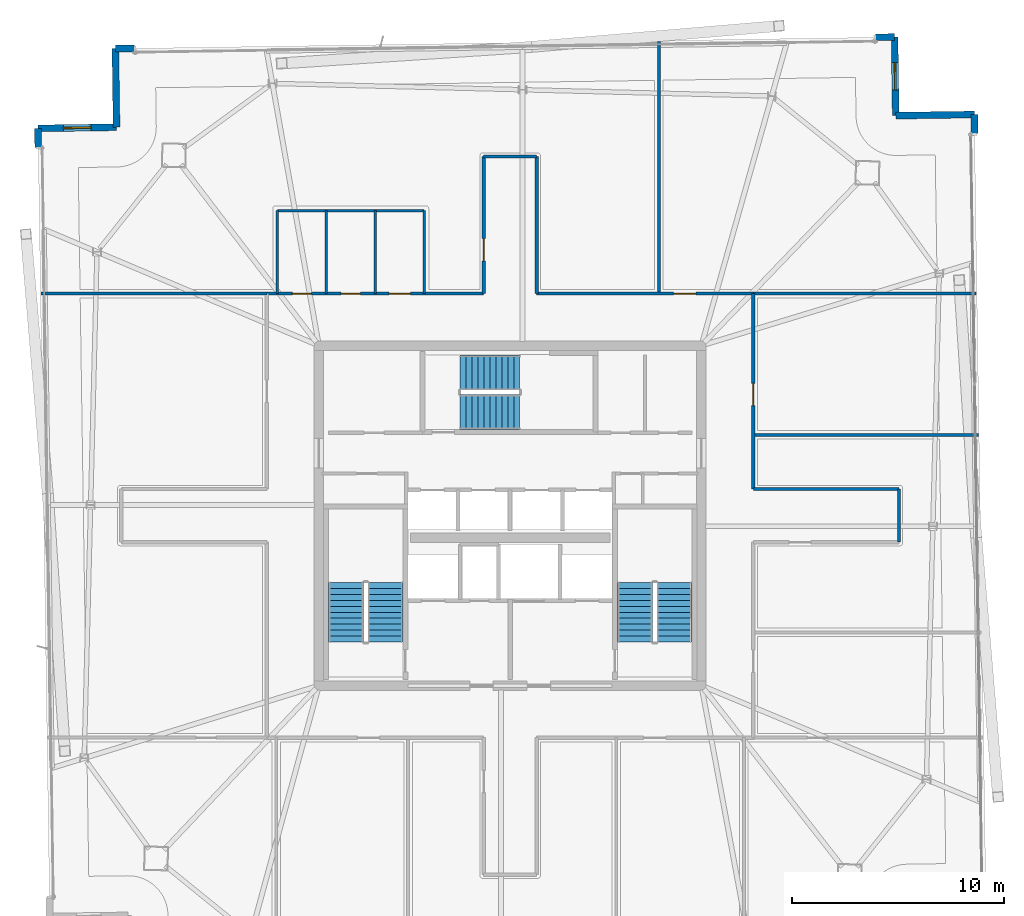
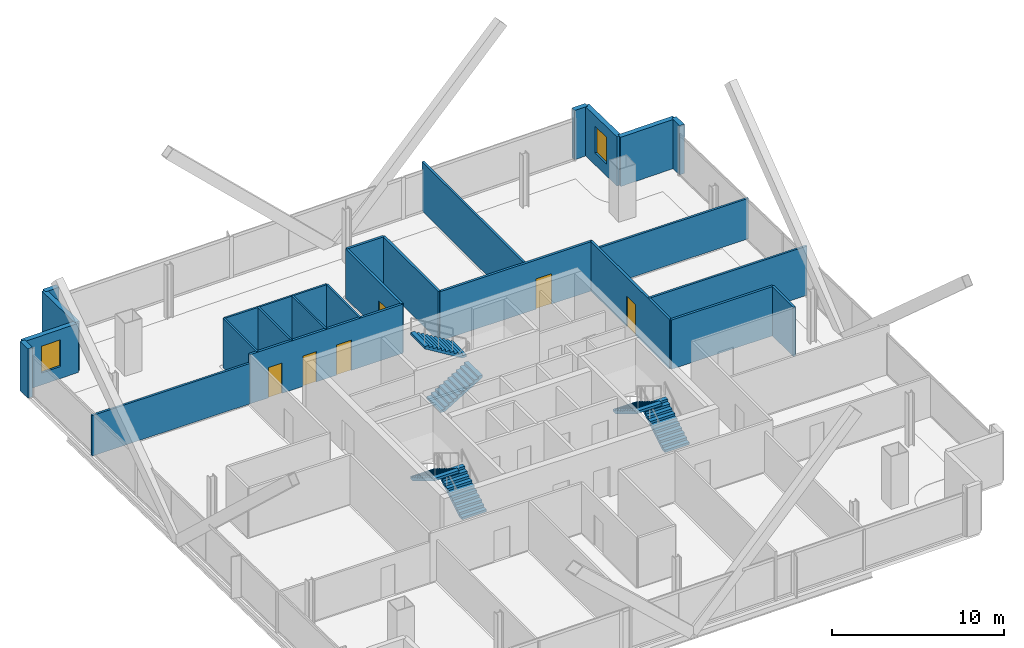
# One storey, part 22 of 25: 25 walls, 6 doors, 6 stair flights, 2 windows, 8 openings, 3 elements without a shape of their own.
"""IFC4 building model written with IfcOpenShell, lengths in metres."""

from ifc_helpers import new_model, si_unit, direction, frame, frame_2d, origin, place, context, subcontext, project, spatial, polyline, rectangle, outline, extrude, material, layer, layer_set, type_object, element, fill, aggregate, save


model = new_model("IFC4")

# Units and contexts
model_context = context("Model", 3, precision=1e-05, world=origin(), true_north=direction((0.0, 1.0)))
body_context = subcontext(model_context, "Body", "Model", "MODEL_VIEW")
ifc_project = project(units=[si_unit("LENGTHUNIT", "METRE"), si_unit("AREAUNIT", "SQUARE_METRE"), si_unit("VOLUMEUNIT", "CUBIC_METRE"), si_unit("PLANEANGLEUNIT", "RADIAN"), si_unit("MASSUNIT", "GRAM", prefix="KILO")], contexts=[model_context])

# Site, building, storey
site_placement = place(None, origin())
site = spatial("IfcSite", under=ifc_project, at=site_placement, CompositionType="ELEMENT")
building_placement = place(site_placement, origin())
building = spatial("IfcBuilding", under=site, at=building_placement, Name="Haldenkirk Collegiate Tower", CompositionType="ELEMENT")
storey_placement = place(building_placement, frame((0.0, 0.0, 332.699951171875)))
storey = spatial("IfcBuildingStorey", under=building, at=storey_placement, Name="L84", CompositionType="ELEMENT", Elevation=332.699951171875)

# Walls
ifc_material_1 = material(Name="Precast concrete f'c 40 MPa", Category="concrete")
ifc_layer_1 = layer(ifc_material_1, 0.320068359375)
ifc_layer_set_1 = layer_set([ifc_layer_1], Name="Precast concrete f'c 40 MPa")
wall_type_1 = type_object("IfcWallType", Name="WL-EXT-TWR-320", PredefinedType="STANDARD", material=ifc_layer_set_1)
wall_1_placement = place(storey_placement, frame((57.847412109375, 44.876220703125, 0.0), z_axis=(0.0, 0.0, 1.0), x_axis=(0.01491966312, -0.999888695632, 0.0)))
element("IfcWall", 1, at=wall_1_placement, inside=storey, type_object=wall_type_1, Name="L84 precast corner pier SL", PredefinedType="STANDARD", context=body_context, shape_type="SweptSolid", body=[
    extrude(rectangle(XDim=0.89990234375, YDim=0.320068359375, at=frame_2d((0.449951171875, 0.0))), origin(), (0.0, 0.0, 1.0), 3.489990234375),
])
wall_2_placement = place(storey_placement, frame((54.147705078125, 44.8212890625, 0.0), z_axis=(0.0, 0.0, 1.0), x_axis=(0.999889793128, 0.014845928696, 0.0)))
element("IfcWall", 2, at=wall_2_placement, inside=storey, type_object=wall_type_1, Name="L84 bronze precast notch wall 02", PredefinedType="STANDARD", context=body_context, shape_type="SweptSolid", body=[
    extrude(rectangle(XDim=3.7001953125, YDim=0.320068359375, at=frame_2d((1.85009765625, 0.0))), origin(), (0.0, 0.0, 1.0), 3.489990234375),
])

# Wall, opening, window
wall_3_placement = place(storey_placement, frame((54.093017578125, 48.52099609375, 0.0), z_axis=(0.0, 0.0, 1.0), x_axis=(0.014779961236, -0.999890770407, 0.0)))
wall_3 = element("IfcWall", 3, at=wall_3_placement, inside=storey, type_object=wall_type_1, Name="L84 bronze precast notch wall 03", PredefinedType="STANDARD", context=body_context, shape_type="SweptSolid", body=[
    extrude(rectangle(XDim=3.7001953125, YDim=0.320068359375, at=frame_2d((1.85009765625, 0.0))), origin(), (0.0, 0.0, 1.0), 3.489990234375),
])
opening_1_placement = place(wall_3_placement, frame((1.199951171875, 0.0, 0.85009765625)))
opening_1 = element("IfcOpeningElement", 4, at=opening_1_placement, cuts=wall_3, Name="Opening W-08", PredefinedType="OPENING", context=body_context, shape_type="SweptSolid", body=[
    extrude(rectangle(XDim=1.300048828125, YDim=1.89990234375, at=frame_2d((0.64990234375, 0.949951171875))), frame((0.0, 0.169921875, 0.0), z_axis=(0.0, -1.0, 0.0), x_axis=(1.0, 0.0, 0.0)), (0.0, 0.0, 1.0), 0.340087890625),
])
ifc_material_2 = material(Name="Low-E argon triple insulating glass", Category="glass")
ifc_layer_2 = layer(ifc_material_2, 0.090087890625)
ifc_layer_set_2 = layer_set([ifc_layer_2], Name="Low-E argon triple insulating glass")
window_type = type_object("IfcWindowType", Name="WN-Z6-1300X1900", PartitioningType="SINGLE_PANEL", PredefinedType="WINDOW", material=ifc_layer_set_2)
window_1_placement = place(opening_1_placement, origin())
window_1 = element("IfcWindow", 5, at=window_1_placement, inside=storey, type_object=window_type, Name="L84 precast-frame academic window 2", OverallHeight=1.89990234375, OverallWidth=1.300048828125, PartitioningType="SINGLE_PANEL", PredefinedType="WINDOW", context=body_context, shape_type="SweptSolid", body=[
    extrude(rectangle(XDim=1.300048828125, YDim=1.89990234375, at=frame_2d((0.64990234375, 0.949951171875))), frame((0.0, 0.030029296875, 0.0), z_axis=(0.0, -1.0, 0.0), x_axis=(1.0, 0.0, 0.0)), (0.0, 0.0, 1.0), 0.06005859375),
])
fill(opening_1, window_1)

# Walls
for number, where, z_axis, x_axis, name in (
    (6, (17.421875, 47.976806640625, 0.0), (0.0, 0.0, 1.0), (0.999888695632, 0.01491966312, 0.0), "L84 precast corner pier EL"),
    (7, (53.193115234375, 48.507568359375, 0.0), (0.0, 0.0, 1.0), (0.999888695632, 0.01491966312, 0.0), "L84 precast corner pier ER"),
):
    element("IfcWall", number, at=place(storey_placement, frame(where, z_axis=z_axis, x_axis=x_axis)), inside=storey, type_object=wall_type_1, Name=name, PredefinedType="STANDARD", context=body_context, shape_type="SweptSolid", body=[
        extrude(rectangle(XDim=0.89990234375, YDim=0.320068359375, at=frame_2d((0.449951171875, 0.0))), origin(), (0.0, 0.0, 1.0), 3.489990234375),
    ])
wall_4_placement = place(storey_placement, frame((17.476806640625, 44.277099609375, 0.0), z_axis=(0.0, 0.0, 1.0), x_axis=(-0.014845928696, 0.999889793128, 0.0)))
element("IfcWall", 8, at=wall_4_placement, inside=storey, type_object=wall_type_1, Name="L84 bronze precast notch wall 05", PredefinedType="STANDARD", context=body_context, shape_type="SweptSolid", body=[
    extrude(rectangle(XDim=3.7001953125, YDim=0.320068359375, at=frame_2d((1.85009765625, 0.0))), origin(), (0.0, 0.0, 1.0), 3.489990234375),
])

# Wall, opening, window
wall_5_placement = place(storey_placement, frame((13.777099609375, 44.222412109375, 0.0), z_axis=(0.0, 0.0, 1.0), x_axis=(0.999890770407, 0.014779961236, 0.0)))
wall_5 = element("IfcWall", 9, at=wall_5_placement, inside=storey, type_object=wall_type_1, Name="L84 bronze precast notch wall 06", PredefinedType="STANDARD", context=body_context, shape_type="SweptSolid", body=[
    extrude(rectangle(XDim=3.7001953125, YDim=0.320068359375, at=frame_2d((1.85009765625, 0.0))), origin(), (0.0, 0.0, 1.0), 3.489990234375),
])
opening_2_placement = place(wall_5_placement, frame((1.199951171875, 0.0, 0.85009765625)))
opening_2 = element("IfcOpeningElement", 10, at=opening_2_placement, cuts=wall_5, Name="Opening W-08", PredefinedType="OPENING", context=body_context, shape_type="SweptSolid", body=[
    extrude(rectangle(XDim=1.300048828125, YDim=1.89990234375, at=frame_2d((0.64990234375, 0.949951171875))), frame((0.0, 0.169921875, 0.0), z_axis=(0.0, -1.0, 0.0), x_axis=(1.0, 0.0, 0.0)), (0.0, 0.0, 1.0), 0.340087890625),
])
window_2_placement = place(opening_2_placement, origin())
window_2 = element("IfcWindow", 11, at=window_2_placement, inside=storey, type_object=window_type, Name="L84 precast-frame academic window 5", OverallHeight=1.89990234375, OverallWidth=1.300048828125, PartitioningType="SINGLE_PANEL", PredefinedType="WINDOW", context=body_context, shape_type="SweptSolid", body=[
    extrude(rectangle(XDim=1.300048828125, YDim=1.89990234375, at=frame_2d((0.64990234375, 0.949951171875))), frame((0.0, 0.030029296875, 0.0), z_axis=(0.0, -1.0, 0.0), x_axis=(1.0, 0.0, 0.0)), (0.0, 0.0, 1.0), 0.06005859375),
])
fill(opening_2, window_2)

# Wall
wall_6_placement = place(storey_placement, frame((13.79052734375, 43.322509765625, 0.0), z_axis=(0.0, 0.0, 1.0), x_axis=(-0.01491966312, 0.999888695632, 0.0)))
element("IfcWall", 12, at=wall_6_placement, inside=storey, type_object=wall_type_1, Name="L84 precast corner pier NR", PredefinedType="STANDARD", context=body_context, shape_type="SweptSolid", body=[
    extrude(rectangle(XDim=0.89990234375, YDim=0.320068359375, at=frame_2d((0.449951171875, 0.0))), origin(), (0.0, 0.0, 1.0), 3.489990234375),
])

# Wall, openings, doors
ifc_material_3 = material(Name="Acoustic fire-rated gypsum partition", Category="concrete")
ifc_layer_3 = layer(ifc_material_3, 0.159912109375)
ifc_layer_set_3 = layer_set([ifc_layer_3], Name="Acoustic fire-rated gypsum partition")
wall_type_2 = type_object("IfcWallType", Name="WL-INT-CORR-160", PredefinedType="PARTITIONING", material=ifc_layer_set_3)
wall_7_placement = place(storey_placement, frame((24.5, 36.449951171875, 0.0), z_axis=(0.0, 0.0, 1.0), x_axis=(1.0, 0.0, 0.0)))
wall_7 = element("IfcWall", 13, at=wall_7_placement, inside=storey, type_object=wall_type_2, Name="L84 interior partition IW-L84-CN1", PredefinedType="PARTITIONING", context=body_context, shape_type="SweptSolid", body=[
    extrude(rectangle(XDim=10.25, YDim=0.159912109375, at=frame_2d((5.125, 0.0))), origin(), (0.0, 0.0, 1.0), 3.489990234375),
])
opening_3_placement = place(wall_7_placement, frame((1.25, 0.0, 0.0)))
opening_3 = element("IfcOpeningElement", 14, at=opening_3_placement, cuts=wall_7, Name="Opening D-13", PredefinedType="OPENING", context=body_context, shape_type="SweptSolid", body=[
    extrude(rectangle(XDim=0.89990234375, YDim=2.14990234375, at=frame_2d((0.449951171875, 1.074951171875))), frame((0.0, 0.08984375, 0.0), z_axis=(0.0, -1.0, 0.0), x_axis=(1.0, 0.0, 0.0)), (0.0, 0.0, 1.0), 0.179931640625),
])
opening_4_placement = place(wall_7_placement, frame((3.550048828125, 0.0, 0.0)))
opening_4 = element("IfcOpeningElement", 15, at=opening_4_placement, cuts=wall_7, Name="Opening D-13", PredefinedType="OPENING", context=body_context, shape_type="SweptSolid", body=[
    extrude(rectangle(XDim=0.89990234375, YDim=2.14990234375, at=frame_2d((0.449951171875, 1.074951171875))), frame((0.0, 0.08984375, 0.0), z_axis=(0.0, -1.0, 0.0), x_axis=(1.0, 0.0, 0.0)), (0.0, 0.0, 1.0), 0.179931640625),
])
opening_5_placement = place(wall_7_placement, frame((5.800048828125, 0.0, 0.0)))
opening_5 = element("IfcOpeningElement", 16, at=opening_5_placement, cuts=wall_7, Name="Opening D-14", PredefinedType="OPENING", context=body_context, shape_type="SweptSolid", body=[
    extrude(rectangle(XDim=1.0, YDim=2.14990234375, at=frame_2d((0.5, 1.074951171875))), frame((0.0, 0.08984375, 0.0), z_axis=(0.0, -1.0, 0.0), x_axis=(1.0, 0.0, 0.0)), (0.0, 0.0, 1.0), 0.179931640625),
])
ifc_material_4 = material(Name="Solid-core architectural oak fire door", Category="wood")
ifc_layer_4 = layer(ifc_material_4, 0.06005859375)
ifc_layer_set_4 = layer_set([ifc_layer_4], Name="Solid-core architectural oak fire door")
door_type_1 = type_object("IfcDoorType", Name="DR-INT-ACC-1000", OperationType="NOTDEFINED", PredefinedType="DOOR", material=ifc_layer_set_4)
door_1_placement = place(opening_5_placement, origin())
door_1 = element("IfcDoor", 17, at=door_1_placement, inside=storey, type_object=door_type_1, Name="L84 Accessible WC door", OperationType="SINGLE_SWING_RIGHT", OverallHeight=2.14990234375, OverallWidth=1.0, PredefinedType="DOOR", context=body_context, shape_type="SweptSolid", body=[
    extrude(rectangle(XDim=1.0, YDim=2.14990234375, at=frame_2d((0.5, 1.074951171875))), frame((0.0, 0.02490234375, 0.0), z_axis=(0.0, -1.0, 0.0), x_axis=(1.0, 0.0, 0.0)), (0.0, 0.0, 1.0), 0.050048828125),
])
fill(opening_5, door_1)
ifc_layer_5 = layer(ifc_material_4, 0.06005859375)
ifc_layer_set_5 = layer_set([ifc_layer_5], Name="Solid-core architectural oak fire door")
door_type_2 = type_object("IfcDoorType", Name="DR-INT-STD-900", OperationType="NOTDEFINED", PredefinedType="DOOR", material=ifc_layer_set_5)
door_2_placement = place(opening_3_placement, origin())
door_2 = element("IfcDoor", 18, at=door_2_placement, inside=storey, type_object=door_type_2, Name="L84 Male WC door", OperationType="SINGLE_SWING_RIGHT", OverallHeight=2.14990234375, OverallWidth=0.89990234375, PredefinedType="DOOR", context=body_context, shape_type="SweptSolid", body=[
    extrude(rectangle(XDim=0.89990234375, YDim=2.14990234375, at=frame_2d((0.449951171875, 1.074951171875))), frame((0.0, 0.02490234375, 0.0), z_axis=(0.0, -1.0, 0.0), x_axis=(1.0, 0.0, 0.0)), (0.0, 0.0, 1.0), 0.050048828125),
])
fill(opening_3, door_2)
door_3_placement = place(opening_4_placement, origin())
door_3 = element("IfcDoor", 19, at=door_3_placement, inside=storey, type_object=door_type_2, Name="L84 Female WC door", OperationType="SINGLE_SWING_LEFT", OverallHeight=2.14990234375, OverallWidth=0.89990234375, PredefinedType="DOOR", context=body_context, shape_type="SweptSolid", body=[
    extrude(rectangle(XDim=0.89990234375, YDim=2.14990234375, at=frame_2d((0.449951171875, 1.074951171875))), frame((0.0, 0.02490234375, 0.0), z_axis=(0.0, -1.0, 0.0), x_axis=(1.0, 0.0, 0.0)), (0.0, 0.0, 1.0), 0.050048828125),
])
fill(opening_4, door_3)

# Wall, opening, door
wall_8_placement = place(storey_placement, frame((37.25, 36.449951171875, 0.0), z_axis=(0.0, 0.0, 1.0), x_axis=(1.0, 0.0, 0.0)))
wall_8 = element("IfcWall", 20, at=wall_8_placement, inside=storey, type_object=wall_type_2, Name="L84 interior partition IW-L84-CN2", PredefinedType="PARTITIONING", context=body_context, shape_type="SweptSolid", body=[
    extrude(rectangle(XDim=10.25, YDim=0.159912109375, at=frame_2d((5.125, 0.0))), origin(), (0.0, 0.0, 1.0), 3.489990234375),
])
opening_6_placement = place(wall_8_placement, frame((6.43896484375, 0.0, 0.0)))
opening_6 = element("IfcOpeningElement", 21, at=opening_6_placement, cuts=wall_8, Name="Opening D-09", PredefinedType="OPENING", context=body_context, shape_type="SweptSolid", body=[
    extrude(rectangle(XDim=1.050048828125, YDim=2.14990234375, at=frame_2d((0.52490234375, 1.074951171875))), frame((0.0, 0.08984375, 0.0), z_axis=(0.0, -1.0, 0.0), x_axis=(1.0, 0.0, 0.0)), (0.0, 0.0, 1.0), 0.179931640625),
])
ifc_layer_6 = layer(ifc_material_4, 0.06005859375)
ifc_layer_set_6 = layer_set([ifc_layer_6], Name="Solid-core architectural oak fire door")
door_type_3 = type_object("IfcDoorType", Name="DR-INT-FD60-1050", OperationType="NOTDEFINED", PredefinedType="DOOR", material=ifc_layer_set_6)
door_4_placement = place(opening_6_placement, origin())
door_4 = element("IfcDoor", 22, at=door_4_placement, inside=storey, type_object=door_type_3, Name="L84 Wet Science Laboratory 7 door", OperationType="SINGLE_SWING_LEFT", OverallHeight=2.14990234375, OverallWidth=1.050048828125, PredefinedType="DOOR", context=body_context, shape_type="SweptSolid", body=[
    extrude(rectangle(XDim=1.050048828125, YDim=2.14990234375, at=frame_2d((0.52490234375, 1.074951171875))), frame((0.0, 0.02490234375, 0.0), z_axis=(0.0, -1.0, 0.0), x_axis=(1.0, 0.0, 0.0)), (0.0, 0.0, 1.0), 0.050048828125),
])
fill(opening_6, door_4)

wall_9_placement = place(storey_placement, frame((47.449951171875, 27.25, 0.0), z_axis=(0.0, 0.0, 1.0), x_axis=(0.0, 1.0, 0.0)))
wall_9 = element("IfcWall", 23, at=wall_9_placement, inside=storey, type_object=wall_type_2, Name="L84 interior partition IW-L84-CE2", PredefinedType="PARTITIONING", context=body_context, shape_type="SweptSolid", body=[
    extrude(rectangle(XDim=9.199951171875, YDim=0.159912109375, at=frame_2d((4.60009765625, 0.0))), origin(), (0.0, 0.0, 1.0), 3.489990234375),
])
opening_7_placement = place(wall_9_placement, frame((3.927001953125, 0.0, 0.0)))
opening_7 = element("IfcOpeningElement", 24, at=opening_7_placement, cuts=wall_9, Name="Opening D-09", PredefinedType="OPENING", context=body_context, shape_type="SweptSolid", body=[
    extrude(rectangle(XDim=1.050048828125, YDim=2.14990234375, at=frame_2d((0.52490234375, 1.074951171875))), frame((0.0, 0.08984375, 0.0), z_axis=(0.0, -1.0, 0.0), x_axis=(1.0, 0.0, 0.0)), (0.0, 0.0, 1.0), 0.179931640625),
])
door_5_placement = place(opening_7_placement, origin())
door_5 = element("IfcDoor", 25, at=door_5_placement, inside=storey, type_object=door_type_3, Name="L84 Optics Research Laboratory 11 door", OperationType="SINGLE_SWING_LEFT", OverallHeight=2.14990234375, OverallWidth=1.050048828125, PredefinedType="DOOR", context=body_context, shape_type="SweptSolid", body=[
    extrude(rectangle(XDim=1.050048828125, YDim=2.14990234375, at=frame_2d((0.52490234375, 1.074951171875))), frame((0.0, 0.02490234375, 0.0), z_axis=(0.0, -1.0, 0.0), x_axis=(1.0, 0.0, 0.0)), (0.0, 0.0, 1.0), 0.050048828125),
])
fill(opening_7, door_5)

wall_10_placement = place(storey_placement, frame((34.75, 36.449951171875, 0.0), z_axis=(0.0, 0.0, 1.0), x_axis=(0.0, 1.0, 0.0)))
wall_10 = element("IfcWall", 26, at=wall_10_placement, inside=storey, type_object=wall_type_2, Name="L84 interior partition IW-L84-NPW", PredefinedType="PARTITIONING", context=body_context, shape_type="SweptSolid", body=[
    extrude(rectangle(XDim=6.449951171875, YDim=0.159912109375, at=frame_2d((3.22509765625, 0.0))), origin(), (0.0, 0.0, 1.0), 3.489990234375),
])
opening_8_placement = place(wall_10_placement, frame((1.5390625, 0.0, 0.0)))
opening_8 = element("IfcOpeningElement", 27, at=opening_8_placement, cuts=wall_10, Name="Opening D-09", PredefinedType="OPENING", context=body_context, shape_type="SweptSolid", body=[
    extrude(rectangle(XDim=1.050048828125, YDim=2.14990234375, at=frame_2d((0.52490234375, 1.074951171875))), frame((0.0, 0.08984375, 0.0), z_axis=(0.0, -1.0, 0.0), x_axis=(1.0, 0.0, 0.0)), (0.0, 0.0, 1.0), 0.179931640625),
])
door_6_placement = place(opening_8_placement, origin())
door_6 = element("IfcDoor", 28, at=door_6_placement, inside=storey, type_object=door_type_3, Name="L84 Bioengineering Laboratory 6 door", OperationType="SINGLE_SWING_RIGHT", OverallHeight=2.14990234375, OverallWidth=1.050048828125, PredefinedType="DOOR", context=body_context, shape_type="SweptSolid", body=[
    extrude(rectangle(XDim=1.050048828125, YDim=2.14990234375, at=frame_2d((0.52490234375, 1.074951171875))), frame((0.0, 0.02490234375, 0.0), z_axis=(0.0, -1.0, 0.0), x_axis=(1.0, 0.0, 0.0)), (0.0, 0.0, 1.0), 0.050048828125),
])
fill(opening_8, door_6)

# Walls
wall_11_placement = place(storey_placement, frame((37.25, 36.449951171875, 0.0), z_axis=(0.0, 0.0, 1.0), x_axis=(0.0, 1.0, 0.0)))
element("IfcWall", 29, at=wall_11_placement, inside=storey, type_object=wall_type_2, Name="L84 interior partition IW-L84-NPE", PredefinedType="PARTITIONING", context=body_context, shape_type="SweptSolid", body=[
    extrude(rectangle(XDim=6.449951171875, YDim=0.159912109375, at=frame_2d((3.22509765625, 0.0))), origin(), (0.0, 0.0, 1.0), 3.489990234375),
])
wall_12_placement = place(storey_placement, frame((34.75, 42.89990234375, 0.0), z_axis=(0.0, 0.0, 1.0), x_axis=(1.0, 0.0, 0.0)))
element("IfcWall", 30, at=wall_12_placement, inside=storey, type_object=wall_type_2, Name="L84 interior partition IW-L84-NPN", PredefinedType="PARTITIONING", context=body_context, shape_type="SweptSolid", body=[
    extrude(rectangle(XDim=2.5, YDim=0.159912109375, at=frame_2d((1.25, 0.0))), origin(), (0.0, 0.0, 1.0), 3.489990234375),
])
wall_13_placement = place(storey_placement, frame((47.449951171875, 27.25, 0.0), z_axis=(0.0, 0.0, 1.0), x_axis=(1.0, 0.0, 0.0)))
element("IfcWall", 31, at=wall_13_placement, inside=storey, type_object=wall_type_2, Name="L84 interior partition IW-L84-EPN", PredefinedType="PARTITIONING", context=body_context, shape_type="SweptSolid", body=[
    extrude(rectangle(XDim=6.85009765625, YDim=0.159912109375, at=frame_2d((3.425048828125, 0.0))), origin(), (0.0, 0.0, 1.0), 3.489990234375),
])
wall_14_placement = place(storey_placement, frame((54.300048828125, 24.75, 0.0), z_axis=(0.0, 0.0, 1.0), x_axis=(0.0, 1.0, 0.0)))
element("IfcWall", 32, at=wall_14_placement, inside=storey, type_object=wall_type_2, Name="L84 interior partition IW-L84-EPE", PredefinedType="PARTITIONING", context=body_context, shape_type="SweptSolid", body=[
    extrude(rectangle(XDim=2.5, YDim=0.159912109375, at=frame_2d((1.25, 0.0))), origin(), (0.0, 0.0, 1.0), 3.489990234375),
])
ifc_layer_7 = layer(ifc_material_3, 0.139892578125)
ifc_layer_set_7 = layer_set([ifc_layer_7], Name="Acoustic fire-rated gypsum partition")
wall_type_3 = type_object("IfcWallType", Name="WL-INT-DIV-140", PredefinedType="PARTITIONING", material=ifc_layer_set_7)
wall_15_placement = place(storey_placement, frame((13.9326171875, 36.449951171875, 0.0), z_axis=(0.0, 0.0, 1.0), x_axis=(1.0, 0.0, 0.0)))
element("IfcWall", 33, at=wall_15_placement, inside=storey, type_object=wall_type_3, Name="L84 interior partition IW-L84-BWN", PredefinedType="PARTITIONING", context=body_context, shape_type="SweptSolid", body=[
    extrude(rectangle(XDim=10.617431640625, YDim=0.139892578125, at=frame_2d((5.30859375, 0.0))), origin(), (0.0, 0.0, 1.0), 2.8681640625),
])
wall_16_placement = place(storey_placement, frame((47.449951171875, 36.449951171875, 0.0), z_axis=(0.0, 0.0, 1.0), x_axis=(1.0, 0.0, 0.0)))
element("IfcWall", 34, at=wall_16_placement, inside=storey, type_object=wall_type_3, Name="L84 interior partition IW-L84-BEN", PredefinedType="PARTITIONING", context=body_context, shape_type="SweptSolid", body=[
    extrude(rectangle(XDim=10.482421875, YDim=0.139892578125, at=frame_2d((5.2412109375, 0.0))), origin(), (0.0, 0.0, 1.0), 2.8681640625),
])
wall_17_placement = place(storey_placement, frame((43.0, 36.449951171875, 0.0), z_axis=(0.0, 0.0, 1.0), x_axis=(0.0, 1.0, 0.0)))
element("IfcWall", 35, at=wall_17_placement, inside=storey, type_object=wall_type_3, Name="L84 interior partition IW-L84-RN1", PredefinedType="PARTITIONING", context=body_context, shape_type="SweptSolid", body=[
    extrude(rectangle(XDim=11.866455078125, YDim=0.139892578125, at=frame_2d((5.93310546875, 0.0))), origin(), (0.0, 0.0, 1.0), 3.489990234375),
])
wall_18_placement = place(storey_placement, frame((47.449951171875, 29.800048828125, 0.0), z_axis=(0.0, 0.0, 1.0), x_axis=(1.0, 0.0, 0.0)))
element("IfcWall", 36, at=wall_18_placement, inside=storey, type_object=wall_type_3, Name="L84 interior partition IW-L84-RE2", PredefinedType="PARTITIONING", context=body_context, shape_type="SweptSolid", body=[
    extrude(rectangle(XDim=10.5810546875, YDim=0.139892578125, at=frame_2d((5.29052734375, 0.0))), origin(), (0.0, 0.0, 1.0), 3.489990234375),
])
ifc_layer_8 = layer(ifc_material_3, 0.1201171875)
ifc_layer_set_8 = layer_set([ifc_layer_8], Name="Acoustic fire-rated gypsum partition")
wall_type_4 = type_object("IfcWallType", Name="WL-INT-WET-120", PredefinedType="PARTITIONING", material=ifc_layer_set_8)
for number, where, z_axis, x_axis, name in (
    (37, (25.050048828125, 36.449951171875, 0.0), (0.0, 0.0, 1.0), (0.0, 1.0, 0.0), "L84 interior partition IW-L84-WCW"),
    (38, (27.35009765625, 36.449951171875, 0.0), (0.0, 0.0, 1.0), (0.0, 1.0, 0.0), "L84 interior partition IW-L84-WC1"),
    (39, (29.64990234375, 36.449951171875, 0.0), (0.0, 0.0, 1.0), (0.0, 1.0, 0.0), "L84 interior partition IW-L84-WC2"),
    (40, (31.949951171875, 36.449951171875, 0.0), (0.0, 0.0, 1.0), (0.0, 1.0, 0.0), "L84 interior partition IW-L84-WCE"),
):
    element("IfcWall", number, at=place(storey_placement, frame(where, z_axis=z_axis, x_axis=x_axis)), inside=storey, type_object=wall_type_4, Name=name, PredefinedType="PARTITIONING", context=body_context, shape_type="SweptSolid", body=[
        extrude(rectangle(XDim=3.900146484375, YDim=0.1201171875, at=frame_2d((1.9501953125, 0.0))), origin(), (0.0, 0.0, 1.0), 3.489990234375),
    ])
wall_19_placement = place(storey_placement, frame((25.050048828125, 40.35009765625, 0.0), z_axis=(0.0, 0.0, 1.0), x_axis=(1.0, 0.0, 0.0)))
element("IfcWall", 41, at=wall_19_placement, inside=storey, type_object=wall_type_4, Name="L84 interior partition IW-L84-WCB", PredefinedType="PARTITIONING", context=body_context, shape_type="SweptSolid", body=[
    extrude(rectangle(XDim=6.89990234375, YDim=0.1201171875, at=frame_2d((3.449951171875, 0.0))), origin(), (0.0, 0.0, 1.0), 3.489990234375),
])

# Stair, stair flights
ifc_material_5 = material(Name="Concrete f'c 40 MPa", Category="concrete")
stair_type = type_object("IfcStairType", Name="STR-DOGLEG-1650", PredefinedType="HALF_TURN_STAIR", material=ifc_material_5)
stair_1_placement = place(storey_placement, origin())
stair_1 = element("IfcStair", 42, at=stair_1_placement, inside=storey, type_object=stair_type, Name="L84 Core Exit Stair ST-1", PredefinedType="HALF_TURN_STAIR")
stair_flight_type = type_object("IfcStairFlightType", Name="STF-FLIGHT-1650", PredefinedType="STRAIGHT", material=ifc_material_5)
stair_flight_1_placement = place(storey_placement, frame((30.125, 20.050048828125, 0.0), z_axis=(0.0, 0.0, 1.0), x_axis=(0.0, 1.0, 0.0)))
stair_flight_1 = element("IfcStairFlight", 43, at=stair_flight_1_placement, type_object=stair_flight_type, Name="ST-1 flight 1", NumberOfRisers=11, NumberOfTreads=10, PredefinedType="STRAIGHT", RiserHeight=0.170454545, TreadLength=0.28, context=body_context, shape_type="SweptSolid", body=[
    extrude(outline(polyline([(0.0, 0.0), (0.0, 0.17041015625), (0.280029296875, 0.17041015625), (0.280029296875, 0.3408203125), (0.56005859375, 0.3408203125), (0.56005859375, 0.511474609375), (0.840087890625, 0.511474609375), (0.840087890625, 0.681884765625), (1.1201171875, 0.681884765625), (1.1201171875, 0.852294921875), (1.39990234375, 0.852294921875), (1.39990234375, 1.022705078125), (1.679931640625, 1.022705078125), (1.679931640625, 1.193115234375), (1.9599609375, 1.193115234375), (1.9599609375, 1.363525390625), (2.239990234375, 1.363525390625), (2.239990234375, 1.5341796875), (2.52001953125, 1.5341796875), (2.52001953125, 1.70458984375), (2.800048828125, 1.70458984375), (2.800048828125, 1.875), (2.800048828125, 1.529052734375), (0.288330078125, 0.0), (0.0, 0.0)])), frame((0.0, 0.824951171875, 0.0), z_axis=(0.0, -1.0, 0.0), x_axis=(1.0, 0.0, 0.0)), (0.0, 0.0, 1.0), 1.64990234375),
])
stair_flight_2_placement = place(storey_placement, frame((28.27490234375, 22.85009765625, 1.875), z_axis=(0.0, 0.0, 1.0), x_axis=(0.0, -1.0, 0.0)))
stair_flight_2 = element("IfcStairFlight", 44, at=stair_flight_2_placement, type_object=stair_flight_type, Name="ST-1 flight 2", NumberOfRisers=11, NumberOfTreads=10, PredefinedType="STRAIGHT", RiserHeight=0.170454545, TreadLength=0.28, context=body_context, shape_type="SweptSolid", body=[
    extrude(outline(polyline([(0.0, 0.0), (0.0, 0.17041015625), (0.280029296875, 0.17041015625), (0.280029296875, 0.3408203125), (0.56005859375, 0.3408203125), (0.56005859375, 0.511474609375), (0.840087890625, 0.511474609375), (0.840087890625, 0.681884765625), (1.1201171875, 0.681884765625), (1.1201171875, 0.852294921875), (1.39990234375, 0.852294921875), (1.39990234375, 1.022705078125), (1.679931640625, 1.022705078125), (1.679931640625, 1.193115234375), (1.9599609375, 1.193115234375), (1.9599609375, 1.363525390625), (2.239990234375, 1.363525390625), (2.239990234375, 1.5341796875), (2.52001953125, 1.5341796875), (2.52001953125, 1.70458984375), (2.800048828125, 1.70458984375), (2.800048828125, 1.875), (2.800048828125, 1.529052734375), (0.288330078125, 0.0), (0.0, 0.0)])), frame((0.0, 0.824951171875, 0.0), z_axis=(0.0, -1.0, 0.0), x_axis=(1.0, 0.0, 0.0)), (0.0, 0.0, 1.0), 1.64990234375),
])
aggregate(stair_1, [stair_flight_1, stair_flight_2])

stair_2_placement = place(storey_placement, origin())
stair_2 = element("IfcStair", 45, at=stair_2_placement, inside=storey, type_object=stair_type, Name="L84 Core Exit Stair ST-2", PredefinedType="HALF_TURN_STAIR")
stair_flight_3_placement = place(storey_placement, frame((43.72509765625, 20.050048828125, 0.0), z_axis=(0.0, 0.0, 1.0), x_axis=(0.0, 1.0, 0.0)))
stair_flight_3 = element("IfcStairFlight", 46, at=stair_flight_3_placement, type_object=stair_flight_type, Name="ST-2 flight 1", NumberOfRisers=11, NumberOfTreads=10, PredefinedType="STRAIGHT", RiserHeight=0.170454545, TreadLength=0.28, context=body_context, shape_type="SweptSolid", body=[
    extrude(outline(polyline([(0.0, 0.0), (0.0, 0.17041015625), (0.280029296875, 0.17041015625), (0.280029296875, 0.3408203125), (0.56005859375, 0.3408203125), (0.56005859375, 0.511474609375), (0.840087890625, 0.511474609375), (0.840087890625, 0.681884765625), (1.1201171875, 0.681884765625), (1.1201171875, 0.852294921875), (1.39990234375, 0.852294921875), (1.39990234375, 1.022705078125), (1.679931640625, 1.022705078125), (1.679931640625, 1.193115234375), (1.9599609375, 1.193115234375), (1.9599609375, 1.363525390625), (2.239990234375, 1.363525390625), (2.239990234375, 1.5341796875), (2.52001953125, 1.5341796875), (2.52001953125, 1.70458984375), (2.800048828125, 1.70458984375), (2.800048828125, 1.875), (2.800048828125, 1.529052734375), (0.288330078125, 0.0), (0.0, 0.0)])), frame((0.0, 0.824951171875, 0.0), z_axis=(0.0, -1.0, 0.0), x_axis=(1.0, 0.0, 0.0)), (0.0, 0.0, 1.0), 1.64990234375),
])
stair_flight_4_placement = place(storey_placement, frame((41.875, 22.85009765625, 1.875), z_axis=(0.0, 0.0, 1.0), x_axis=(0.0, -1.0, 0.0)))
stair_flight_4 = element("IfcStairFlight", 47, at=stair_flight_4_placement, type_object=stair_flight_type, Name="ST-2 flight 2", NumberOfRisers=11, NumberOfTreads=10, PredefinedType="STRAIGHT", RiserHeight=0.170454545, TreadLength=0.28, context=body_context, shape_type="SweptSolid", body=[
    extrude(outline(polyline([(0.0, 0.0), (0.0, 0.17041015625), (0.280029296875, 0.17041015625), (0.280029296875, 0.3408203125), (0.56005859375, 0.3408203125), (0.56005859375, 0.511474609375), (0.840087890625, 0.511474609375), (0.840087890625, 0.681884765625), (1.1201171875, 0.681884765625), (1.1201171875, 0.852294921875), (1.39990234375, 0.852294921875), (1.39990234375, 1.022705078125), (1.679931640625, 1.022705078125), (1.679931640625, 1.193115234375), (1.9599609375, 1.193115234375), (1.9599609375, 1.363525390625), (2.239990234375, 1.363525390625), (2.239990234375, 1.5341796875), (2.52001953125, 1.5341796875), (2.52001953125, 1.70458984375), (2.800048828125, 1.70458984375), (2.800048828125, 1.875), (2.800048828125, 1.529052734375), (0.288330078125, 0.0), (0.0, 0.0)])), frame((0.0, 0.824951171875, 0.0), z_axis=(0.0, -1.0, 0.0), x_axis=(1.0, 0.0, 0.0)), (0.0, 0.0, 1.0), 1.64990234375),
])
aggregate(stair_2, [stair_flight_3, stair_flight_4])

stair_3_placement = place(storey_placement, origin())
stair_3 = element("IfcStair", 48, at=stair_3_placement, inside=storey, type_object=stair_type, Name="L84 Core Exit Stair ST-3", PredefinedType="HALF_TURN_STAIR")
stair_flight_5_placement = place(storey_placement, frame((33.64990234375, 30.875, 0.0), z_axis=(0.0, 0.0, 1.0), x_axis=(1.0, 0.0, 0.0)))
stair_flight_5 = element("IfcStairFlight", 49, at=stair_flight_5_placement, type_object=stair_flight_type, Name="ST-3 flight 1", NumberOfRisers=11, NumberOfTreads=10, PredefinedType="STRAIGHT", RiserHeight=0.170454545, TreadLength=0.28, context=body_context, shape_type="SweptSolid", body=[
    extrude(outline(polyline([(0.0, 0.0), (0.0, 0.17041015625), (0.280029296875, 0.17041015625), (0.280029296875, 0.3408203125), (0.56005859375, 0.3408203125), (0.56005859375, 0.511474609375), (0.840087890625, 0.511474609375), (0.840087890625, 0.681884765625), (1.1201171875, 0.681884765625), (1.1201171875, 0.852294921875), (1.39990234375, 0.852294921875), (1.39990234375, 1.022705078125), (1.679931640625, 1.022705078125), (1.679931640625, 1.193115234375), (1.9599609375, 1.193115234375), (1.9599609375, 1.363525390625), (2.239990234375, 1.363525390625), (2.239990234375, 1.5341796875), (2.52001953125, 1.5341796875), (2.52001953125, 1.70458984375), (2.800048828125, 1.70458984375), (2.800048828125, 1.875), (2.800048828125, 1.529052734375), (0.288330078125, 0.0), (0.0, 0.0)])), frame((0.0, 0.824951171875, 0.0), z_axis=(0.0, -1.0, 0.0), x_axis=(1.0, 0.0, 0.0)), (0.0, 0.0, 1.0), 1.64990234375),
])
stair_flight_6_placement = place(storey_placement, frame((36.449951171875, 32.72509765625, 1.875), z_axis=(0.0, 0.0, 1.0), x_axis=(-1.0, 0.0, 0.0)))
stair_flight_6 = element("IfcStairFlight", 50, at=stair_flight_6_placement, type_object=stair_flight_type, Name="ST-3 flight 2", NumberOfRisers=11, NumberOfTreads=10, PredefinedType="STRAIGHT", RiserHeight=0.170454545, TreadLength=0.28, context=body_context, shape_type="SweptSolid", body=[
    extrude(outline(polyline([(0.0, 0.0), (0.0, 0.17041015625), (0.280029296875, 0.17041015625), (0.280029296875, 0.3408203125), (0.56005859375, 0.3408203125), (0.56005859375, 0.511474609375), (0.840087890625, 0.511474609375), (0.840087890625, 0.681884765625), (1.1201171875, 0.681884765625), (1.1201171875, 0.852294921875), (1.39990234375, 0.852294921875), (1.39990234375, 1.022705078125), (1.679931640625, 1.022705078125), (1.679931640625, 1.193115234375), (1.9599609375, 1.193115234375), (1.9599609375, 1.363525390625), (2.239990234375, 1.363525390625), (2.239990234375, 1.5341796875), (2.52001953125, 1.5341796875), (2.52001953125, 1.70458984375), (2.800048828125, 1.70458984375), (2.800048828125, 1.875), (2.800048828125, 1.529052734375), (0.288330078125, 0.0), (0.0, 0.0)])), frame((0.0, 0.824951171875, 0.0), z_axis=(0.0, -1.0, 0.0), x_axis=(1.0, 0.0, 0.0)), (0.0, 0.0, 1.0), 1.64990234375),
])
aggregate(stair_3, [stair_flight_5, stair_flight_6])

save(model, "model.ifc")
